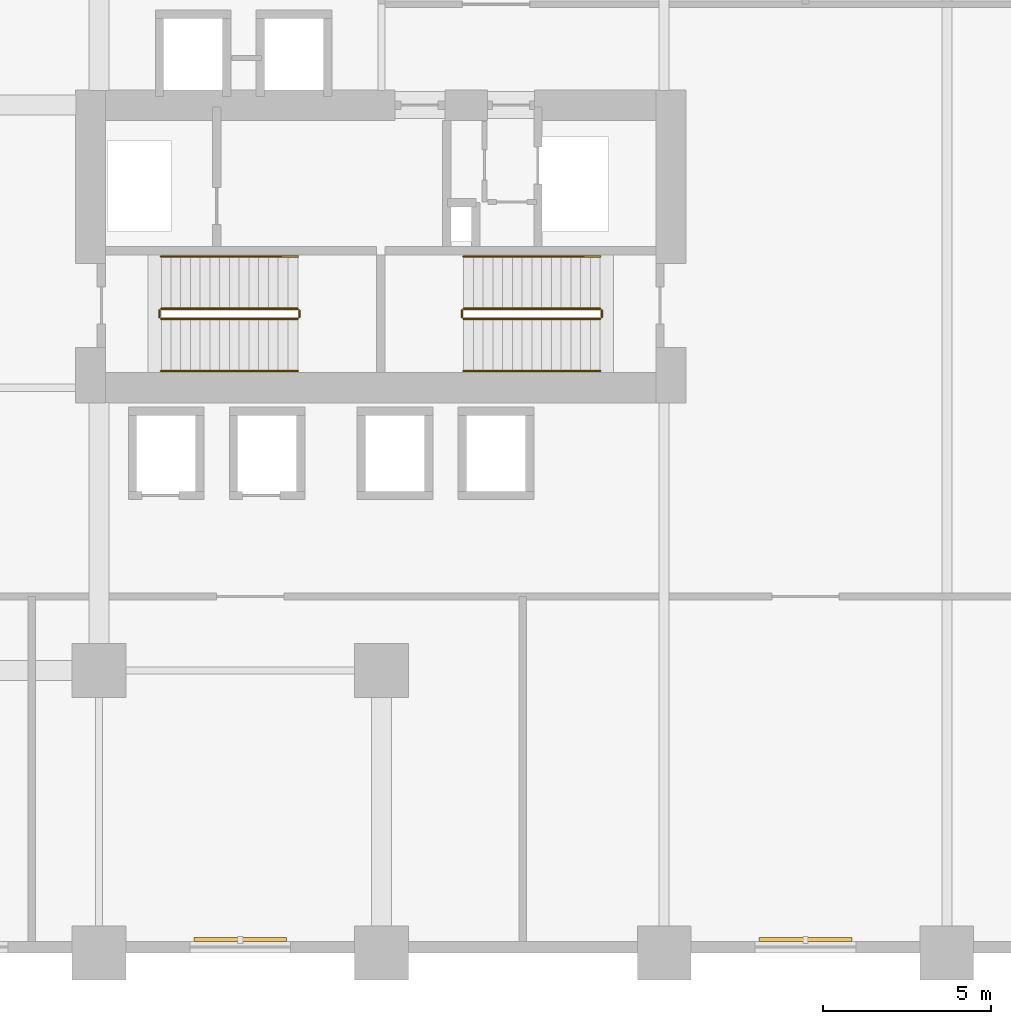
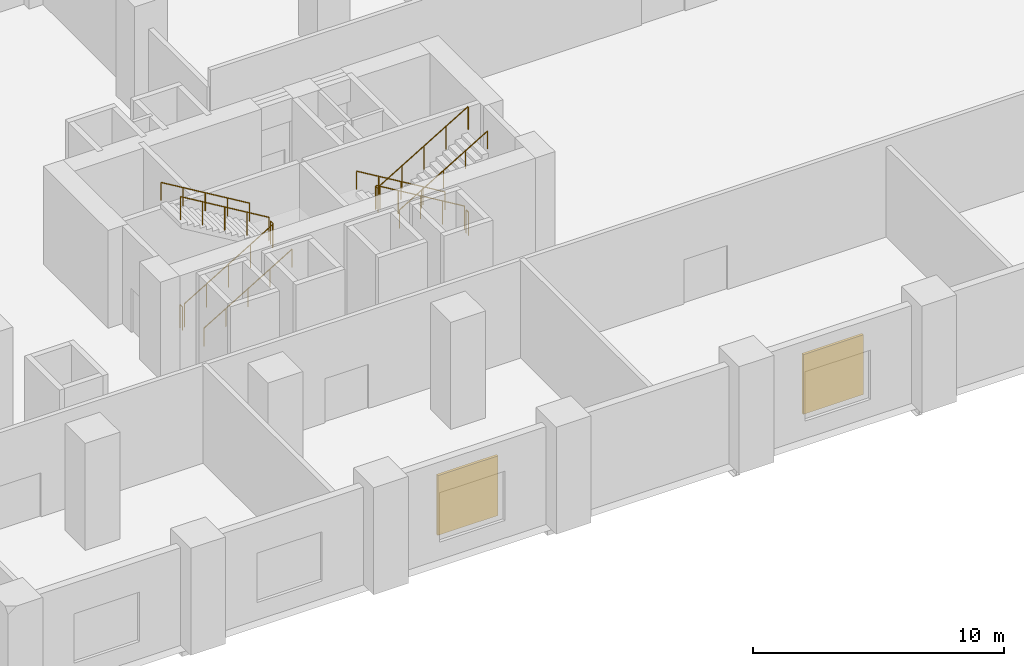
# One storey, part 21 of 23: 12 railings, 2 shading devices.
"""IFC4 building model written with IfcOpenShell, lengths in metres."""

from ifc_helpers import new_model, si_unit, direction, frame, origin, origin_2d, place, context, subcontext, project, spatial, rectangle, circle, extrude, material, layer, layer_set, type_object, element, save


model = new_model("IFC4")

# Units and contexts
model_context = context("Model", 3, precision=1e-05, world=origin(), true_north=direction((0.0, 1.0)))
body_context = subcontext(model_context, "Body", "Model", "MODEL_VIEW")
ifc_project = project(units=[si_unit("LENGTHUNIT", "METRE"), si_unit("AREAUNIT", "SQUARE_METRE"), si_unit("VOLUMEUNIT", "CUBIC_METRE"), si_unit("PLANEANGLEUNIT", "RADIAN"), si_unit("MASSUNIT", "GRAM", prefix="KILO")], contexts=[model_context])

# Site, building, storey
site_placement = place(None, origin())
site = spatial("IfcSite", under=ifc_project, at=site_placement, CompositionType="ELEMENT")
building_placement = place(site_placement, origin())
building = spatial("IfcBuilding", under=site, at=building_placement, Name="Koriwani Terraces Tower", CompositionType="ELEMENT")
storey_placement = place(building_placement, frame((0.0, 0.0, 20.800048828125)))
storey = spatial("IfcBuildingStorey", under=building, at=storey_placement, Name="L04", CompositionType="ELEMENT", Elevation=20.800048828125)

# Railings
ifc_material_1 = material(Name="Steel ASTM A572 Grade 50", Category="steel")
railing_type_1 = type_object("IfcRailingType", Name="GUARD_STAIR_WELL_1120", PredefinedType="GUARDRAIL", material=ifc_material_1)
railing_1_placement = place(storey_placement, frame((43.85009765625, 18.85009765625, 0.17333984375)))
element("IfcRailing", 1, at=railing_1_placement, inside=storey, type_object=railing_type_1, Name="L04 ST-E1 stair guard 1", PredefinedType="GUARDRAIL", context=body_context, shape_type="SweptSolid", body=[
    extrude(circle(Radius=0.02392578125, at=origin_2d()), frame((0.0, 0.0, 1.1259765625), z_axis=(0.858366167383, 0.0, 0.513037545109), x_axis=(0.0, 1.0, 0.0)), (0.0, 0.0, 1.0), 4.729736328125),
    extrude(circle(Radius=0.02099609375, at=origin_2d()), origin(), (0.0, 0.0, 1.0), 1.101806640625),
    extrude(circle(Radius=0.02099609375, at=origin_2d()), frame((1.014892578125, 0.0, 0.606689453125)), (0.0, 0.0, 1.0), 1.101806640625),
    extrude(circle(Radius=0.02099609375, at=origin_2d()), frame((2.02978515625, 0.0, 1.21337890625)), (0.0, 0.0, 1.0), 1.101806640625),
    extrude(circle(Radius=0.02099609375, at=origin_2d()), frame((3.044921875, 0.0, 1.81982421875)), (0.0, 0.0, 1.0), 1.101806640625),
    extrude(circle(Radius=0.02099609375, at=origin_2d()), frame((4.059814453125, 0.0, 2.426513671875)), (0.0, 0.0, 1.0), 1.101806640625),
])
railing_2_placement = place(storey_placement, frame((47.9599609375, 18.89990234375, 2.599853515625)))
element("IfcRailing", 2, at=railing_2_placement, inside=storey, type_object=railing_type_1, Name="L04 ST-E1 stair guard 2", PredefinedType="GUARDRAIL", context=body_context, shape_type="SweptSolid", body=[
    extrude(circle(Radius=0.02392578125, at=origin_2d()), frame((0.0, 0.0, 1.1259765625), z_axis=(0.0, 1.0, 0.0), x_axis=(-1.0, 0.0, 0.0)), (0.0, 0.0, 1.0), 0.2001953125),
    extrude(circle(Radius=0.02099609375, at=origin_2d()), origin(), (0.0, 0.0, 1.0), 1.101806640625),
    extrude(circle(Radius=0.02099609375, at=origin_2d()), frame((0.0, 0.2001953125, 0.0)), (0.0, 0.0, 1.0), 1.101806640625),
])
railing_3_placement = place(storey_placement, frame((47.909912109375, 19.14990234375, 2.773193359375)))
element("IfcRailing", 3, at=railing_3_placement, inside=storey, type_object=railing_type_1, Name="L04 ST-E1 stair guard 3", PredefinedType="GUARDRAIL", context=body_context, shape_type="SweptSolid", body=[
    extrude(circle(Radius=0.02392578125, at=origin_2d()), frame((0.0, 0.0, 1.1259765625), z_axis=(-0.858343435637, 0.0, 0.513075575815), x_axis=(0.0, -1.0, 0.0)), (0.0, 0.0, 1.0), 4.729736328125),
    extrude(circle(Radius=0.02099609375, at=origin_2d()), origin(), (0.0, 0.0, 1.0), 1.101806640625),
    extrude(circle(Radius=0.02099609375, at=origin_2d()), frame((-1.014892578125, 0.0, 0.606689453125)), (0.0, 0.0, 1.0), 1.101806640625),
    extrude(circle(Radius=0.02099609375, at=origin_2d()), frame((-2.02978515625, 0.0, 1.21337890625)), (0.0, 0.0, 1.0), 1.101806640625),
    extrude(circle(Radius=0.02099609375, at=origin_2d()), frame((-3.044921875, 0.0, 1.820068359375)), (0.0, 0.0, 1.0), 1.101806640625),
    extrude(circle(Radius=0.02099609375, at=origin_2d()), frame((-4.059814453125, 0.0, 2.4267578125)), (0.0, 0.0, 1.0), 1.101806640625),
])
railing_4_placement = place(storey_placement, frame((43.800048828125, 18.89990234375, 0.0)))
element("IfcRailing", 4, at=railing_4_placement, inside=storey, type_object=railing_type_1, Name="L04 ST-E1 stair guard 4", PredefinedType="GUARDRAIL", context=body_context, shape_type="SweptSolid", body=[
    extrude(circle(Radius=0.02392578125, at=origin_2d()), frame((0.0, 0.0, 1.1259765625), z_axis=(0.0, 1.0, 0.0), x_axis=(-1.0, 0.0, 0.0)), (0.0, 0.0, 1.0), 0.2001953125),
    extrude(circle(Radius=0.02099609375, at=origin_2d()), origin(), (0.0, 0.0, 1.0), 1.101806640625),
    extrude(circle(Radius=0.02099609375, at=origin_2d()), frame((0.0, 0.2001953125, 0.0)), (0.0, 0.0, 1.0), 1.101806640625),
])
railing_5_placement = place(storey_placement, frame((56.89990234375, 19.14990234375, 0.17333984375)))
element("IfcRailing", 5, at=railing_5_placement, inside=storey, type_object=railing_type_1, Name="L04 ST-E2 stair guard 1", PredefinedType="GUARDRAIL", context=body_context, shape_type="SweptSolid", body=[
    extrude(circle(Radius=0.02392578125, at=origin_2d()), frame((0.0, 0.0, 1.1259765625), z_axis=(-0.858366167383, 0.0, 0.513037545109), x_axis=(0.0, -1.0, 0.0)), (0.0, 0.0, 1.0), 4.729736328125),
    extrude(circle(Radius=0.02099609375, at=origin_2d()), origin(), (0.0, 0.0, 1.0), 1.101806640625),
    extrude(circle(Radius=0.02099609375, at=origin_2d()), frame((-1.014892578125, 0.0, 0.606689453125)), (0.0, 0.0, 1.0), 1.101806640625),
    extrude(circle(Radius=0.02099609375, at=origin_2d()), frame((-2.02978515625, 0.0, 1.21337890625)), (0.0, 0.0, 1.0), 1.101806640625),
    extrude(circle(Radius=0.02099609375, at=origin_2d()), frame((-3.044921875, 0.0, 1.81982421875)), (0.0, 0.0, 1.0), 1.101806640625),
    extrude(circle(Radius=0.02099609375, at=origin_2d()), frame((-4.059814453125, 0.0, 2.426513671875)), (0.0, 0.0, 1.0), 1.101806640625),
])
railing_6_placement = place(storey_placement, frame((52.7900390625, 19.10009765625, 2.599853515625)))
element("IfcRailing", 6, at=railing_6_placement, inside=storey, type_object=railing_type_1, Name="L04 ST-E2 stair guard 2", PredefinedType="GUARDRAIL", context=body_context, shape_type="SweptSolid", body=[
    extrude(circle(Radius=0.02392578125, at=origin_2d()), frame((0.0, 0.0, 1.1259765625), z_axis=(0.0, -1.0, 0.0), x_axis=(1.0, 0.0, 0.0)), (0.0, 0.0, 1.0), 0.2001953125),
    extrude(circle(Radius=0.02099609375, at=origin_2d()), origin(), (0.0, 0.0, 1.0), 1.101806640625),
    extrude(circle(Radius=0.02099609375, at=origin_2d()), frame((0.0, -0.2001953125, 0.0)), (0.0, 0.0, 1.0), 1.101806640625),
])
railing_7_placement = place(storey_placement, frame((52.840087890625, 18.85009765625, 2.773193359375)))
element("IfcRailing", 7, at=railing_7_placement, inside=storey, type_object=railing_type_1, Name="L04 ST-E2 stair guard 3", PredefinedType="GUARDRAIL", context=body_context, shape_type="SweptSolid", body=[
    extrude(circle(Radius=0.02392578125, at=origin_2d()), frame((0.0, 0.0, 1.1259765625), z_axis=(0.858343435637, 0.0, 0.513075575815), x_axis=(0.0, 1.0, 0.0)), (0.0, 0.0, 1.0), 4.729736328125),
    extrude(circle(Radius=0.02099609375, at=origin_2d()), origin(), (0.0, 0.0, 1.0), 1.101806640625),
    extrude(circle(Radius=0.02099609375, at=origin_2d()), frame((1.014892578125, 0.0, 0.606689453125)), (0.0, 0.0, 1.0), 1.101806640625),
    extrude(circle(Radius=0.02099609375, at=origin_2d()), frame((2.02978515625, 0.0, 1.21337890625)), (0.0, 0.0, 1.0), 1.101806640625),
    extrude(circle(Radius=0.02099609375, at=origin_2d()), frame((3.044921875, 0.0, 1.820068359375)), (0.0, 0.0, 1.0), 1.101806640625),
    extrude(circle(Radius=0.02099609375, at=origin_2d()), frame((4.059814453125, 0.0, 2.4267578125)), (0.0, 0.0, 1.0), 1.101806640625),
])
railing_8_placement = place(storey_placement, frame((56.949951171875, 19.10009765625, 0.0)))
element("IfcRailing", 8, at=railing_8_placement, inside=storey, type_object=railing_type_1, Name="L04 ST-E2 stair guard 4", PredefinedType="GUARDRAIL", context=body_context, shape_type="SweptSolid", body=[
    extrude(circle(Radius=0.02392578125, at=origin_2d()), frame((0.0, 0.0, 1.1259765625), z_axis=(0.0, -1.0, 0.0), x_axis=(1.0, 0.0, 0.0)), (0.0, 0.0, 1.0), 0.2001953125),
    extrude(circle(Radius=0.02099609375, at=origin_2d()), origin(), (0.0, 0.0, 1.0), 1.101806640625),
    extrude(circle(Radius=0.02099609375, at=origin_2d()), frame((0.0, -0.2001953125, 0.0)), (0.0, 0.0, 1.0), 1.101806640625),
])
railing_type_2 = type_object("IfcRailingType", Name="HANDRAIL_STAIR_920", PredefinedType="HANDRAIL", material=ifc_material_1)
railing_9_placement = place(storey_placement, frame((43.85009765625, 17.300048828125, 0.17333984375)))
element("IfcRailing", 9, at=railing_9_placement, inside=storey, type_object=railing_type_2, Name="L04 ST-E1 stair handrail 1", PredefinedType="HANDRAIL", context=body_context, shape_type="SweptSolid", body=[
    extrude(circle(Radius=0.02392578125, at=origin_2d()), frame((0.0, 0.0, 0.8759765625), z_axis=(0.858366167383, 0.0, 0.513037545109), x_axis=(0.0, 1.0, 0.0)), (0.0, 0.0, 1.0), 4.729736328125),
    extrude(circle(Radius=0.02099609375, at=origin_2d()), origin(), (0.0, 0.0, 1.0), 0.851806640625),
    extrude(circle(Radius=0.02099609375, at=origin_2d()), frame((1.014892578125, 0.0, 0.606689453125)), (0.0, 0.0, 1.0), 0.851806640625),
    extrude(circle(Radius=0.02099609375, at=origin_2d()), frame((2.02978515625, 0.0, 1.21337890625)), (0.0, 0.0, 1.0), 0.851806640625),
    extrude(circle(Radius=0.02099609375, at=origin_2d()), frame((3.044921875, 0.0, 1.81982421875)), (0.0, 0.0, 1.0), 0.851806640625),
    extrude(circle(Radius=0.02099609375, at=origin_2d()), frame((4.059814453125, 0.0, 2.426513671875)), (0.0, 0.0, 1.0), 0.851806640625),
])
railing_10_placement = place(storey_placement, frame((47.909912109375, 20.699951171875, 2.773193359375)))
element("IfcRailing", 10, at=railing_10_placement, inside=storey, type_object=railing_type_2, Name="L04 ST-E1 stair handrail 2", PredefinedType="HANDRAIL", context=body_context, shape_type="SweptSolid", body=[
    extrude(circle(Radius=0.02392578125, at=origin_2d()), frame((0.0, 0.0, 0.8759765625), z_axis=(-0.858343435637, 0.0, 0.513075575815), x_axis=(0.0, -1.0, 0.0)), (0.0, 0.0, 1.0), 4.729736328125),
    extrude(circle(Radius=0.02099609375, at=origin_2d()), origin(), (0.0, 0.0, 1.0), 0.851806640625),
    extrude(circle(Radius=0.02099609375, at=origin_2d()), frame((-1.014892578125, 0.0, 0.606689453125)), (0.0, 0.0, 1.0), 0.851806640625),
    extrude(circle(Radius=0.02099609375, at=origin_2d()), frame((-2.02978515625, 0.0, 1.21337890625)), (0.0, 0.0, 1.0), 0.851806640625),
    extrude(circle(Radius=0.02099609375, at=origin_2d()), frame((-3.044921875, 0.0, 1.820068359375)), (0.0, 0.0, 1.0), 0.851806640625),
    extrude(circle(Radius=0.02099609375, at=origin_2d()), frame((-4.059814453125, 0.0, 2.4267578125)), (0.0, 0.0, 1.0), 0.851806640625),
])
railing_11_placement = place(storey_placement, frame((56.89990234375, 20.699951171875, 0.17333984375)))
element("IfcRailing", 11, at=railing_11_placement, inside=storey, type_object=railing_type_2, Name="L04 ST-E2 stair handrail 1", PredefinedType="HANDRAIL", context=body_context, shape_type="SweptSolid", body=[
    extrude(circle(Radius=0.02392578125, at=origin_2d()), frame((0.0, 0.0, 0.8759765625), z_axis=(-0.858366167383, 0.0, 0.513037545109), x_axis=(0.0, -1.0, 0.0)), (0.0, 0.0, 1.0), 4.729736328125),
    extrude(circle(Radius=0.02099609375, at=origin_2d()), origin(), (0.0, 0.0, 1.0), 0.851806640625),
    extrude(circle(Radius=0.02099609375, at=origin_2d()), frame((-1.014892578125, 0.0, 0.606689453125)), (0.0, 0.0, 1.0), 0.851806640625),
    extrude(circle(Radius=0.02099609375, at=origin_2d()), frame((-2.02978515625, 0.0, 1.21337890625)), (0.0, 0.0, 1.0), 0.851806640625),
    extrude(circle(Radius=0.02099609375, at=origin_2d()), frame((-3.044921875, 0.0, 1.81982421875)), (0.0, 0.0, 1.0), 0.851806640625),
    extrude(circle(Radius=0.02099609375, at=origin_2d()), frame((-4.059814453125, 0.0, 2.426513671875)), (0.0, 0.0, 1.0), 0.851806640625),
])
railing_12_placement = place(storey_placement, frame((52.840087890625, 17.300048828125, 2.773193359375)))
element("IfcRailing", 12, at=railing_12_placement, inside=storey, type_object=railing_type_2, Name="L04 ST-E2 stair handrail 2", PredefinedType="HANDRAIL", context=body_context, shape_type="SweptSolid", body=[
    extrude(circle(Radius=0.02392578125, at=origin_2d()), frame((0.0, 0.0, 0.8759765625), z_axis=(0.858343435637, 0.0, 0.513075575815), x_axis=(0.0, 1.0, 0.0)), (0.0, 0.0, 1.0), 4.729736328125),
    extrude(circle(Radius=0.02099609375, at=origin_2d()), origin(), (0.0, 0.0, 1.0), 0.851806640625),
    extrude(circle(Radius=0.02099609375, at=origin_2d()), frame((1.014892578125, 0.0, 0.606689453125)), (0.0, 0.0, 1.0), 0.851806640625),
    extrude(circle(Radius=0.02099609375, at=origin_2d()), frame((2.02978515625, 0.0, 1.21337890625)), (0.0, 0.0, 1.0), 0.851806640625),
    extrude(circle(Radius=0.02099609375, at=origin_2d()), frame((3.044921875, 0.0, 1.820068359375)), (0.0, 0.0, 1.0), 0.851806640625),
    extrude(circle(Radius=0.02099609375, at=origin_2d()), frame((4.059814453125, 0.0, 2.4267578125)), (0.0, 0.0, 1.0), 0.851806640625),
])

# Shading devices
ifc_material_2 = material(Name="Extruded Terracotta Clay", Category="masonry")
ifc_layer = layer(ifc_material_2, 0.1201171875, Name="Extruded Terracotta Clay")
ifc_layer_set = layer_set([ifc_layer], Name="Extruded Terracotta Clay")
shading_device_type = type_object("IfcShadingDeviceType", Name="TERRACOTTA_BAGUETTE_SCREEN_2800", PredefinedType="USERDEFINED", material=ifc_layer_set)
for number, where, z_axis, x_axis, name in (
    (13, (46.199951171875, 0.405029296875, 0.925048828125), (0.0, 0.0, 1.0), (-1.0, 0.0, 0.0), "L04 Extruded Terracotta Baguette Screen (S-15)"),
    (14, (63.0, 0.405029296875, 0.925048828125), (0.0, 0.0, 1.0), (-1.0, 0.0, 0.0), "L04 Extruded Terracotta Baguette Screen (S-21)"),
):
    element("IfcShadingDevice", number, at=place(storey_placement, frame(where, z_axis=z_axis, x_axis=x_axis)), inside=storey, type_object=shading_device_type, Name=name, ObjectType="BAGUETTE", PredefinedType="USERDEFINED", context=body_context, shape_type="SweptSolid", body=[
        extrude(rectangle(XDim=2.760009765625, YDim=0.1201171875, at=origin_2d()), origin(), (0.0, 0.0, 1.0), 2.89990234375),
    ])

save(model, "model.ifc")
